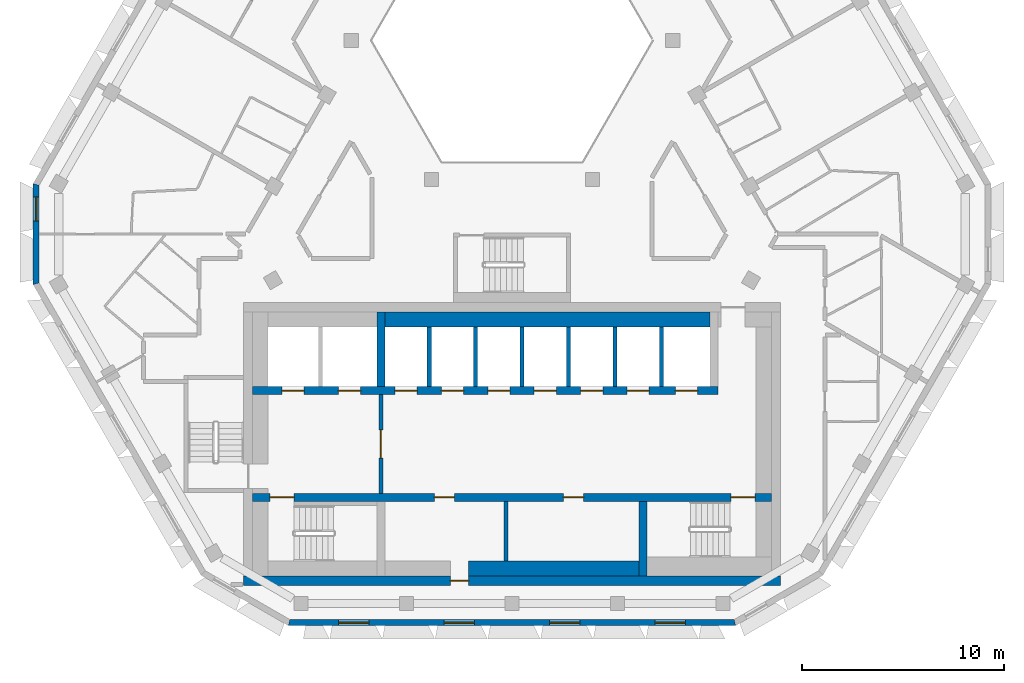
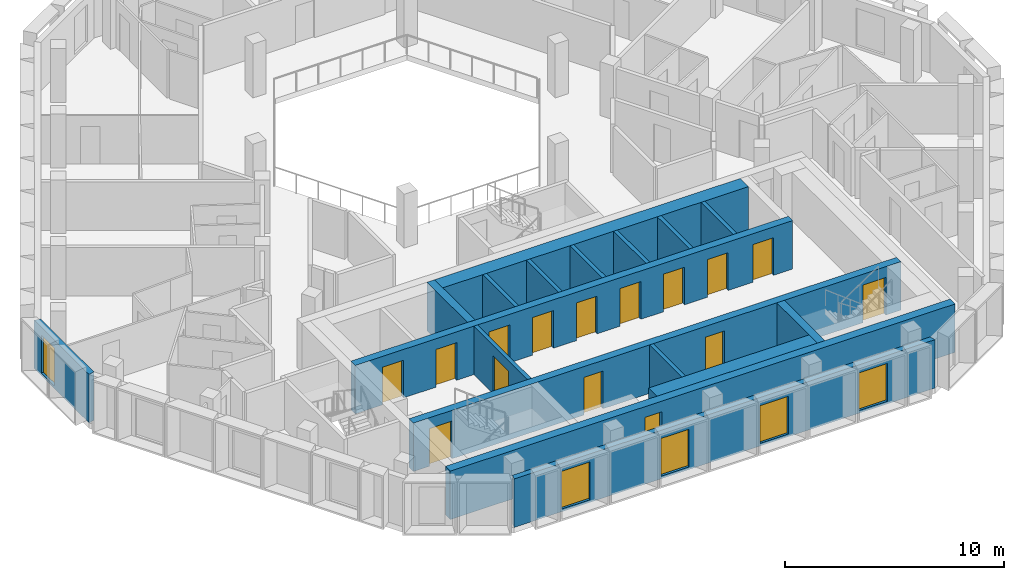
# One storey, part 3 of 15: 17 walls, 15 doors, 5 windows, 20 openings.
"""IFC4 building model written with IfcOpenShell, lengths in metres."""

import ifcopenshell
import ifcopenshell.guid

model = None  # the IFC model being written
_history = None  # IfcOwnerHistory: only IFC2X3 demands one
_inside = {}  # id of a spatial element -> (the spatial element, [elements in it])
_under = {}  # id of a project, library or spatial element -> (it, [spatial elements below it])
_declared = {}  # id of a project -> (the project, [libraries it declares])
_typed = {}  # id of a type object -> (the type object, [elements of that type])
_made_of = {}  # id of a material, layer set ... -> (it, [elements and type objects made of it])


def new_model(schema):
    """Start an empty IFC model of exactly this schema.

    Asked for "IFC4X3", IfcOpenShell would pick the latest addendum, in which some entities
    have other attributes; the version numbers below select the first issue.
    IFC2X3 requires an IfcOwnerHistory on every rooted entity: one is made here for all.
    """
    global model, _history
    if schema == "IFC4X3":
        model = ifcopenshell.file(schema_version=(4, 3, 0, 0))
    else:
        model = ifcopenshell.file(schema=schema)
    _inside.clear()
    _under.clear()
    _declared.clear()
    _typed.clear()
    _made_of.clear()
    _history = None
    if model.schema == "IFC2X3":
        org = make("IfcOrganization", Name="unknown")
        user = make(
            "IfcPersonAndOrganization",
            ThePerson=make("IfcPerson", FamilyName="unknown"),
            TheOrganization=org,
        )
        app = make(
            "IfcApplication",
            ApplicationDeveloper=org,
            Version="unknown",
            ApplicationFullName="unknown",
            ApplicationIdentifier="unknown",
        )
        _history = make(
            "IfcOwnerHistory",
            OwningUser=user,
            OwningApplication=app,
            ChangeAction="ADDED",
            CreationDate=0,
        )
    return model


def make(cls, **values):
    """One entity of the class cls with the attributes given. An attribute that is None is left unset."""
    return model.create_entity(
        cls, **{name: value for name, value in values.items() if value is not None}
    )


def rooted(cls, **values):
    """An entity with a GlobalId (a new one), such as an element, a storey or a relation."""
    return make(cls, GlobalId=ifcopenshell.guid.new(), OwnerHistory=_history, **values)


def si_unit(unit_type, name, prefix=None):
    """IfcSIUnit, for example si_unit("LENGTHUNIT", "METRE", prefix="MILLI")."""
    return make("IfcSIUnit", UnitType=unit_type, Prefix=prefix, Name=name)


def assignment(units):
    """IfcUnitAssignment: the units of a project."""
    return None if units is None else make("IfcUnitAssignment", Units=units)


def point(xyz):
    """IfcCartesianPoint."""
    return None if xyz is None else make("IfcCartesianPoint", Coordinates=xyz)


def direction(xyz):
    """IfcDirection."""
    return None if xyz is None else make("IfcDirection", DirectionRatios=xyz)


def frame(location, z_axis=None, x_axis=None):
    """IfcAxis2Placement3D, a coordinate frame: its origin and axes. An axis left out is left unset."""
    return make(
        "IfcAxis2Placement3D",
        Location=point(location),
        Axis=direction(z_axis),
        RefDirection=direction(x_axis),
    )


def frame_2d(location, x_axis=None):
    """IfcAxis2Placement2D, a coordinate frame in the plane: its origin and x axis."""
    return make(
        "IfcAxis2Placement2D", Location=point(location), RefDirection=direction(x_axis)
    )


def origin():
    """The frame at (0, 0, 0) with its axes left unset."""
    return frame((0.0, 0.0, 0.0))


def place(relative_to, where):
    """IfcLocalPlacement: puts the frame where relative to a parent placement (None: the world)."""
    return make(
        "IfcLocalPlacement", PlacementRelTo=relative_to, RelativePlacement=where
    )


def context(
    kind, dimensions, precision=None, world=None, true_north=None, identifier=None
):
    """IfcGeometricRepresentationContext, for example the 3D "Model" context."""
    return make(
        "IfcGeometricRepresentationContext",
        ContextIdentifier=identifier,
        ContextType=kind,
        CoordinateSpaceDimension=dimensions,
        Precision=precision,
        WorldCoordinateSystem=world,
        TrueNorth=true_north,
    )


def subcontext(parent, identifier, kind, view, scale=None):
    """IfcGeometricRepresentationSubContext, for example "Body" below "Model"."""
    return make(
        "IfcGeometricRepresentationSubContext",
        ContextIdentifier=identifier,
        ContextType=kind,
        ParentContext=parent,
        TargetScale=scale,
        TargetView=view,
    )


def project(units=None, contexts=None):
    """IfcProject with its units and contexts."""
    return rooted(
        "IfcProject",
        Name="project",
        RepresentationContexts=contexts,
        UnitsInContext=assignment(units),
    )


def spatial(cls, under=None, at=None, **own):
    """A site, building, storey or space (cls), placed at a placement, below another one or the project."""
    s = rooted(cls, ObjectPlacement=at, **own)
    if under is not None:
        _under.setdefault(under.id(), (under, []))[1].append(s)
    return s


def polyline(points):
    """IfcPolyline through the points."""
    return make("IfcPolyline", Points=[point(p) for p in points])


def profile(cls, at=None, kind="AREA", **sizes):
    """A parametric profile (cls). Its sizes go by their IFC names, for example OverallWidth=200.0."""
    return make(cls, ProfileType=kind, Position=at, **sizes)


def rectangle(**sizes):
    """IfcRectangleProfileDef."""
    return profile("IfcRectangleProfileDef", **sizes)


def outline(outer, holes=None, kind="AREA"):
    """IfcArbitraryClosedProfileDef: a profile drawn as a closed curve; with holes, ...WithVoids."""
    if holes is None:
        return make("IfcArbitraryClosedProfileDef", ProfileType=kind, OuterCurve=outer)
    return make(
        "IfcArbitraryProfileDefWithVoids",
        ProfileType=kind,
        OuterCurve=outer,
        InnerCurves=holes,
    )


def extrude(swept, where, along, depth):
    """IfcExtrudedAreaSolid: the profile swept, set in the frame where, extruded along a direction by depth."""
    return make(
        "IfcExtrudedAreaSolid",
        SweptArea=swept,
        Position=where,
        ExtrudedDirection=direction(along),
        Depth=depth,
    )


def shape(context_of_items, identifier, shape_type, items):
    """IfcShapeRepresentation: the items that make up one representation, for example the "Body"."""
    return make(
        "IfcShapeRepresentation",
        ContextOfItems=context_of_items,
        RepresentationIdentifier=identifier,
        RepresentationType=shape_type,
        Items=items,
    )


def material(Name=None, Category=None):
    """IfcMaterial."""
    return make("IfcMaterial", Name=Name, Category=Category)


def layer(
    of_material, thickness, ventilated=None, Name=None, Category=None, Priority=None
):
    """IfcMaterialLayer: one layer of a wall or slab, of a material (None: an air gap)."""
    return make(
        "IfcMaterialLayer",
        Material=of_material,
        LayerThickness=thickness,
        IsVentilated=ventilated,
        Name=Name,
        Category=Category,
        Priority=Priority,
    )


def layer_set(layers, Name=None):
    """IfcMaterialLayerSet."""
    return make("IfcMaterialLayerSet", MaterialLayers=layers, LayerSetName=Name)


def made_of(thing, what):
    """Note that an element or type object is made of a material, layer set ...; save() writes the relation."""
    if what is not None:
        _made_of.setdefault(what.id(), (what, []))[1].append(thing)
    return thing


def type_object(cls, material=None, **own):
    """A type object (cls), such as IfcWallType, which elements share."""
    return made_of(rooted(cls, **own), material)


def element(
    cls,
    number,
    at=None,
    inside=None,
    cuts=None,
    type_object=None,
    material=None,
    context=None,
    identifier="Body",
    shape_type=None,
    held_by="IfcProductDefinitionShape",
    body=None,
    shapes=None,
    **own,
):
    """One element of the class cls, such as IfcWall. Its Tag is "e" and its number.

    at: its placement. inside: the storey or other place that contains it. cuts: it is an
    opening in that element (IfcRelVoidsElement). A single representation is given by context,
    identifier, shape_type and body (its items); several are given by shapes. held_by: the class
    of the entity that holds the representations. save() writes the other relations.
    """
    e = rooted(cls, Tag="e%d" % number, ObjectPlacement=at, **own)
    if body is not None:
        shapes = [shape(context, identifier, shape_type, body)]
    if shapes is not None:
        e.Representation = make(held_by, Representations=shapes)
    if inside is not None:
        _inside.setdefault(inside.id(), (inside, []))[1].append(e)
    if cuts is not None:
        rooted(
            "IfcRelVoidsElement", RelatingBuildingElement=cuts, RelatedOpeningElement=e
        )
    if type_object is not None:
        _typed.setdefault(type_object.id(), (type_object, []))[1].append(e)
    return made_of(e, material)


def fill(opening, filler):
    """IfcRelFillsElement: the door or window that sits in an opening."""
    return rooted(
        "IfcRelFillsElement",
        RelatingOpeningElement=opening,
        RelatedBuildingElement=filler,
    )


def aggregate(whole, parts):
    """IfcRelAggregates: a whole, such as a stair, and the parts it consists of."""
    return rooted("IfcRelAggregates", RelatingObject=whole, RelatedObjects=parts)


def save(model, path):
    """Write the relations noted so far, then the file.

    IfcRelAggregates (storeys below a building ...), IfcRelContainedInSpatialStructure (elements
    in a storey), IfcRelDefinesByType, IfcRelAssociatesMaterial and IfcRelDeclares: one each for
    every whole, place, type object, material and project.
    """
    for whole, parts in _under.values():
        aggregate(whole, parts)
    for where, things in _inside.values():
        rooted(
            "IfcRelContainedInSpatialStructure",
            RelatedElements=things,
            RelatingStructure=where,
        )
    for kind, things in _typed.values():
        rooted("IfcRelDefinesByType", RelatedObjects=things, RelatingType=kind)
    for what, things in _made_of.values():
        rooted("IfcRelAssociatesMaterial", RelatedObjects=things, RelatingMaterial=what)
    for by, libraries in _declared.values():
        rooted("IfcRelDeclares", RelatingContext=by, RelatedDefinitions=libraries)
    model.write(path)


model = new_model("IFC4")

# Units and contexts
model_context = context("Model", 3, precision=1e-05, world=origin(), true_north=direction((0.0, 1.0)))
body_context = subcontext(model_context, "Body", "Model", "MODEL_VIEW")
ifc_project = project(units=[si_unit("LENGTHUNIT", "METRE"), si_unit("AREAUNIT", "SQUARE_METRE"), si_unit("VOLUMEUNIT", "CUBIC_METRE"), si_unit("PLANEANGLEUNIT", "RADIAN"), si_unit("MASSUNIT", "GRAM", prefix="KILO")], contexts=[model_context])

# Site, building, storey
site_placement = place(None, origin())
site = spatial("IfcSite", under=ifc_project, at=site_placement, CompositionType="ELEMENT")
building_placement = place(site_placement, origin())
building = spatial("IfcBuilding", under=site, at=building_placement, Name="Beryl Residences", CompositionType="ELEMENT")
storey_placement = place(building_placement, frame((0.0, 0.0, 211.800048828125)))
storey = spatial("IfcBuildingStorey", under=building, at=storey_placement, Name="L65", CompositionType="ELEMENT", Elevation=211.800048828125)

# Wall, opening, window
ifc_material_1 = material(Name="Composite metal panel with mineral wool insulation")
ifc_layer_1 = layer(ifc_material_1, 0.300048828125)
ifc_layer_set_1 = layer_set([ifc_layer_1], Name="ES1 pale metal composite panel wall 300 mm")
wall_type_1 = type_object("IfcWallType", Name="ES1 pale metal composite panel wall 300 mm", PredefinedType="SOLIDWALL", material=ifc_layer_set_1)
wall_1_placement = place(storey_placement, frame((-23.5791015625, 0.89990234375, 0.0), z_axis=(0.0, 0.0, 1.0), x_axis=(0.0, -1.0, 0.0)))
wall_1 = element("IfcWall", 1, at=wall_1_placement, inside=storey, type_object=wall_type_1, Name="ES1 external wall L65 NW-SW", PredefinedType="SOLIDWALL", context=body_context, shape_type="SweptSolid", body=[
    extrude(outline(polyline([(0.0, -0.14990234375), (5.0, -0.14990234375), (4.919677734375, 0.14990234375), (0.080322265625, 0.14990234375), (0.0, -0.14990234375)])), origin(), (0.0, 0.0, 1.0), 2.699951171875),
])
opening_1_placement = place(wall_1_placement, frame((0.64990234375, 0.0, 0.14990234375)))
opening_1 = element("IfcOpeningElement", 2, at=opening_1_placement, cuts=wall_1, Name="Opening W2", PredefinedType="OPENING", context=body_context, shape_type="SweptSolid", body=[
    extrude(rectangle(XDim=1.199951171875, YDim=2.10009765625, at=frame_2d((0.60009765625, 1.050048828125))), frame((0.0, 0.159912109375, 0.0), z_axis=(0.0, -1.0, 0.0), x_axis=(1.0, 0.0, 0.0)), (0.0, 0.0, 1.0), 0.320068359375),
])
ifc_material_2 = material(Name="Aluminium and clear glass", Category="aluminium")
window_type_1 = type_object("IfcWindowType", Name="W2 chamfer window 1200 x 2100 mm", PartitioningType="SINGLE_PANEL", PredefinedType="WINDOW", material=ifc_material_2)
window_1_placement = place(opening_1_placement, origin())
window_1 = element("IfcWindow", 3, at=window_1_placement, inside=storey, type_object=window_type_1, Name="W2 window L65 NW-SW 1", OverallHeight=2.10009765625, OverallWidth=1.199951171875, PartitioningType="SINGLE_PANEL", PredefinedType="WINDOW", context=body_context, shape_type="SweptSolid", body=[
    extrude(rectangle(XDim=1.199951171875, YDim=2.10009765625, at=frame_2d((0.60009765625, 1.050048828125))), frame((0.0, 0.030029296875, 0.0), z_axis=(0.0, -1.0, 0.0), x_axis=(1.0, 0.0, 0.0)), (0.0, 0.0, 1.0), 0.06005859375),
])
fill(opening_1, window_1)

# Wall, openings, windows
wall_2_placement = place(storey_placement, frame((-11.0849609375, -20.85009765625, 0.0), z_axis=(0.0, 0.0, 1.0), x_axis=(1.0, 0.0, 0.0)))
wall_2 = element("IfcWall", 4, at=wall_2_placement, inside=storey, type_object=wall_type_1, Name="ES1 external wall L65 S", PredefinedType="SOLIDWALL", context=body_context, shape_type="SweptSolid", body=[
    extrude(outline(polyline([(0.0, -0.14990234375), (22.169921875, -0.14990234375), (22.089599609375, 0.14990234375), (0.080322265625, 0.14990234375), (0.0, -0.14990234375)])), origin(), (0.0, 0.0, 1.0), 2.699951171875),
])
opening_2_placement = place(wall_2_placement, frame((2.498046875, 0.0, 0.14990234375)))
opening_2 = element("IfcOpeningElement", 5, at=opening_2_placement, cuts=wall_2, Name="Opening W1", PredefinedType="OPENING", context=body_context, shape_type="SweptSolid", body=[
    extrude(rectangle(XDim=1.5, YDim=2.10009765625, at=frame_2d((0.75, 1.050048828125))), frame((0.0, 0.159912109375, 0.0), z_axis=(0.0, -1.0, 0.0), x_axis=(1.0, 0.0, 0.0)), (0.0, 0.0, 1.0), 0.320068359375),
])
opening_3_placement = place(wall_2_placement, frame((7.722900390625, 0.0, 0.14990234375)))
opening_3 = element("IfcOpeningElement", 6, at=opening_3_placement, cuts=wall_2, Name="Opening W1", PredefinedType="OPENING", context=body_context, shape_type="SweptSolid", body=[
    extrude(rectangle(XDim=1.5, YDim=2.10009765625, at=frame_2d((0.75, 1.050048828125))), frame((0.0, 0.159912109375, 0.0), z_axis=(0.0, -1.0, 0.0), x_axis=(1.0, 0.0, 0.0)), (0.0, 0.0, 1.0), 0.320068359375),
])
opening_4_placement = place(wall_2_placement, frame((12.947021484375, 0.0, 0.14990234375)))
opening_4 = element("IfcOpeningElement", 7, at=opening_4_placement, cuts=wall_2, Name="Opening W1", PredefinedType="OPENING", context=body_context, shape_type="SweptSolid", body=[
    extrude(rectangle(XDim=1.5, YDim=2.10009765625, at=frame_2d((0.75, 1.050048828125))), frame((0.0, 0.159912109375, 0.0), z_axis=(0.0, -1.0, 0.0), x_axis=(1.0, 0.0, 0.0)), (0.0, 0.0, 1.0), 0.320068359375),
])
opening_5_placement = place(wall_2_placement, frame((18.172119140625, 0.0, 0.14990234375)))
opening_5 = element("IfcOpeningElement", 8, at=opening_5_placement, cuts=wall_2, Name="Opening W1", PredefinedType="OPENING", context=body_context, shape_type="SweptSolid", body=[
    extrude(rectangle(XDim=1.5, YDim=2.10009765625, at=frame_2d((0.75, 1.050048828125))), frame((0.0, 0.159912109375, 0.0), z_axis=(0.0, -1.0, 0.0), x_axis=(1.0, 0.0, 0.0)), (0.0, 0.0, 1.0), 0.320068359375),
])
ifc_material_3 = material(Name="Aluminium and clear glass", Category="aluminium")
window_type_2 = type_object("IfcWindowType", Name="W1 cell window 1500 x 2100 mm", PartitioningType="SINGLE_PANEL", PredefinedType="WINDOW", material=ifc_material_3)
window_2_placement = place(opening_2_placement, origin())
window_2 = element("IfcWindow", 9, at=window_2_placement, inside=storey, type_object=window_type_2, Name="W1 window L65 S 2", OverallHeight=2.10009765625, OverallWidth=1.5, PartitioningType="SINGLE_PANEL", PredefinedType="WINDOW", context=body_context, shape_type="SweptSolid", body=[
    extrude(rectangle(XDim=1.5, YDim=2.10009765625, at=frame_2d((0.75, 1.050048828125))), frame((0.0, 0.030029296875, 0.0), z_axis=(0.0, -1.0, 0.0), x_axis=(1.0, 0.0, 0.0)), (0.0, 0.0, 1.0), 0.06005859375),
])
fill(opening_2, window_2)
window_3_placement = place(opening_3_placement, origin())
window_3 = element("IfcWindow", 10, at=window_3_placement, inside=storey, type_object=window_type_2, Name="W1 window L65 S 4", OverallHeight=2.10009765625, OverallWidth=1.5, PartitioningType="SINGLE_PANEL", PredefinedType="WINDOW", context=body_context, shape_type="SweptSolid", body=[
    extrude(rectangle(XDim=1.5, YDim=2.10009765625, at=frame_2d((0.75, 1.050048828125))), frame((0.0, 0.030029296875, 0.0), z_axis=(0.0, -1.0, 0.0), x_axis=(1.0, 0.0, 0.0)), (0.0, 0.0, 1.0), 0.06005859375),
])
fill(opening_3, window_3)
window_4_placement = place(opening_4_placement, origin())
window_4 = element("IfcWindow", 11, at=window_4_placement, inside=storey, type_object=window_type_2, Name="W1 window L65 S 6", OverallHeight=2.10009765625, OverallWidth=1.5, PartitioningType="SINGLE_PANEL", PredefinedType="WINDOW", context=body_context, shape_type="SweptSolid", body=[
    extrude(rectangle(XDim=1.5, YDim=2.10009765625, at=frame_2d((0.75, 1.050048828125))), frame((0.0, 0.030029296875, 0.0), z_axis=(0.0, -1.0, 0.0), x_axis=(1.0, 0.0, 0.0)), (0.0, 0.0, 1.0), 0.06005859375),
])
fill(opening_4, window_4)
window_5_placement = place(opening_5_placement, origin())
window_5 = element("IfcWindow", 12, at=window_5_placement, inside=storey, type_object=window_type_2, Name="W1 window L65 S 8", OverallHeight=2.10009765625, OverallWidth=1.5, PartitioningType="SINGLE_PANEL", PredefinedType="WINDOW", context=body_context, shape_type="SweptSolid", body=[
    extrude(rectangle(XDim=1.5, YDim=2.10009765625, at=frame_2d((0.75, 1.050048828125))), frame((0.0, 0.030029296875, 0.0), z_axis=(0.0, -1.0, 0.0), x_axis=(1.0, 0.0, 0.0)), (0.0, 0.0, 1.0), 0.06005859375),
])
fill(opening_5, window_5)

# Wall, opening, door
ifc_material_4 = material(Name="Concrete masonry", Category="masonry")
ifc_layer_2 = layer(ifc_material_4, 0.199951171875)
ifc_layer_set_2 = layer_set([ifc_layer_2], Name="PT13 lobby wall 200 mm")
wall_type_2 = type_object("IfcWallType", Name="PT13 lobby wall 200 mm", PredefinedType="PARTITIONING", material=ifc_layer_set_2)
wall_3_placement = place(storey_placement, frame((-6.5, -14.449951171875, 0.0), z_axis=(0.0, 0.0, 1.0), x_axis=(0.0, 1.0, 0.0)))
wall_3 = element("IfcWall", 13, at=wall_3_placement, inside=storey, type_object=wall_type_2, Name="Lobby wall 12", PredefinedType="PARTITIONING", context=body_context, shape_type="SweptSolid", body=[
    extrude(rectangle(XDim=4.89990234375, YDim=0.199951171875, at=frame_2d((2.449951171875, 0.0))), origin(), (0.0, 0.0, 1.0), 2.699951171875),
])
opening_6_placement = place(wall_3_placement, frame((3.14990234375, 0.0, 0.0), z_axis=(0.0, 0.0, 1.0), x_axis=(-1.0, 0.0, 0.0)))
opening_6 = element("IfcOpeningElement", 14, at=opening_6_placement, cuts=wall_3, Name="Opening FD-FFL", PredefinedType="OPENING", context=body_context, shape_type="SweptSolid", body=[
    extrude(rectangle(XDim=1.39990234375, YDim=2.10009765625, at=frame_2d((0.699951171875, 1.050048828125))), frame((0.0, 0.10986328125, 0.0), z_axis=(0.0, -1.0, 0.0), x_axis=(1.0, 0.0, 0.0)), (0.0, 0.0, 1.0), 0.219970703125),
])
ifc_material_5 = material(Name="Steel door leaf in steel frame", Category="steel")
door_type_1 = type_object("IfcDoorType", Name="D5 lobby door 1400 x 2100 mm", OperationType="DOUBLE_DOOR_SINGLE_SWING", PredefinedType="DOOR", material=ifc_material_5)
door_1_placement = place(opening_6_placement, origin())
door_1 = element("IfcDoor", 15, at=door_1_placement, inside=storey, type_object=door_type_1, Name="Door FD-FFL L65 001", OperationType="DOUBLE_DOOR_SINGLE_SWING", OverallHeight=2.10009765625, OverallWidth=1.39990234375, PredefinedType="DOOR", context=body_context, shape_type="SweptSolid", body=[
    extrude(rectangle(XDim=1.39990234375, YDim=2.10009765625, at=frame_2d((0.699951171875, 1.050048828125))), frame((0.0, 0.02490234375, 0.0), z_axis=(0.0, -1.0, 0.0), x_axis=(1.0, 0.0, 0.0)), (0.0, 0.0, 1.0), 0.050048828125),
])
fill(opening_6, door_1)

# Walls
ifc_material_6 = material(Name="Concrete C40/50", Category="concrete")
ifc_layer_3 = layer(ifc_material_6, 0.199951171875)
ifc_layer_set_3 = layer_set([ifc_layer_3], Name="PT6 lift shaft wall 200 mm reinforced concrete C40/50")
wall_type_3 = type_object("IfcWallType", Name="PT6 lift shaft wall 200 mm reinforced concrete C40/50", PredefinedType="SOLIDWALL", material=ifc_layer_set_3)
for number, where, z_axis, x_axis, name in (
    (16, (-4.10009765625, -9.14990234375, 0.0), (0.0, 0.0, 1.0), (0.0, 1.0, 0.0), "Lift shaft wall 15"),
    (17, (-1.800048828125, -9.14990234375, 0.0), (0.0, 0.0, 1.0), (0.0, 1.0, 0.0), "Lift shaft wall 17"),
    (18, (0.5, -9.14990234375, 0.0), (0.0, 0.0, 1.0), (0.0, 1.0, 0.0), "Lift shaft wall 19"),
    (19, (2.800048828125, -9.14990234375, 0.0), (0.0, 0.0, 1.0), (0.0, 1.0, 0.0), "Lift shaft wall 20"),
    (20, (5.10009765625, -9.14990234375, 0.0), (0.0, 0.0, 1.0), (0.0, 1.0, 0.0), "Lift shaft wall 21"),
    (21, (7.39990234375, -9.14990234375, 0.0), (0.0, 0.0, 1.0), (0.0, 1.0, 0.0), "Lift shaft wall 23"),
):
    element("IfcWall", number, at=place(storey_placement, frame(where, z_axis=z_axis, x_axis=x_axis)), inside=storey, type_object=wall_type_3, Name=name, PredefinedType="SOLIDWALL", context=body_context, shape_type="SweptSolid", body=[
        extrude(rectangle(XDim=2.949951171875, YDim=0.199951171875, at=frame_2d((1.47509765625, 0.0))), origin(), (0.0, 0.0, 1.0), 2.699951171875),
    ])
ifc_material_7 = material(Name="Concrete C40/50", Category="concrete")
ifc_layer_4 = layer(ifc_material_7, 0.75)
ifc_layer_set_4 = layer_set([ifc_layer_4], Name="PT6-750 lift shaft wall 750 mm")
wall_type_4 = type_object("IfcWallType", Name="PT6-750 lift shaft wall 750 mm", PredefinedType="SOLIDWALL", material=ifc_layer_set_4)
wall_4_placement = place(storey_placement, frame((-6.300048828125, -5.824951171875, 0.0), z_axis=(0.0, 0.0, 1.0), x_axis=(1.0, 0.0, 0.0)))
element("IfcWall", 22, at=wall_4_placement, inside=storey, type_object=wall_type_4, Name="Lift shaft wall 14", PredefinedType="SOLIDWALL", context=body_context, shape_type="SweptSolid", body=[
    extrude(rectangle(XDim=16.10009765625, YDim=0.75, at=frame_2d((8.050048828125, 0.0))), origin(), (0.0, 0.0, 1.0), 2.699951171875),
])
ifc_material_8 = material(Name="Concrete masonry", Category="masonry")
ifc_layer_5 = layer(ifc_material_8, 0.199951171875)
ifc_layer_set_5 = layer_set([ifc_layer_5], Name="PT8-200 service room wall 200 mm")
wall_type_5 = type_object("IfcWallType", Name="PT8-200 service room wall 200 mm", PredefinedType="PARTITIONING", material=ifc_layer_set_5)
wall_5_placement = place(storey_placement, frame((-0.300048828125, -17.800048828125, 0.0), z_axis=(0.0, 0.0, 1.0), x_axis=(0.0, 1.0, 0.0)))
element("IfcWall", 23, at=wall_5_placement, inside=storey, type_object=wall_type_5, Name="Core room wall 18", PredefinedType="PARTITIONING", context=body_context, shape_type="SweptSolid", body=[
    extrude(rectangle(XDim=2.949951171875, YDim=0.199951171875, at=frame_2d((1.47509765625, 0.0))), origin(), (0.0, 0.0, 1.0), 2.699951171875),
])
ifc_material_9 = material(Name="Concrete masonry", Category="masonry")
ifc_layer_6 = layer(ifc_material_9, 0.75)
ifc_layer_set_6 = layer_set([ifc_layer_6], Name="PT8-750 service room wall 750 mm")
wall_type_6 = type_object("IfcWallType", Name="PT8-750 service room wall 750 mm", PredefinedType="PARTITIONING", material=ifc_layer_set_6)
wall_6_placement = place(storey_placement, frame((-2.14990234375, -18.175048828125, 0.0), z_axis=(0.0, 0.0, 1.0), x_axis=(1.0, 0.0, 0.0)))
element("IfcWall", 24, at=wall_6_placement, inside=storey, type_object=wall_type_6, Name="Core room wall 16", PredefinedType="PARTITIONING", context=body_context, shape_type="SweptSolid", body=[
    extrude(rectangle(XDim=8.449951171875, YDim=0.75, at=frame_2d((4.22509765625, 0.0))), origin(), (0.0, 0.0, 1.0), 2.699951171875),
])

# Wall, openings, doors
ifc_material_10 = material(Name="Concrete C50/60", Category="concrete")
ifc_layer_7 = layer(ifc_material_10, 0.39990234375)
ifc_layer_set_7 = layer_set([ifc_layer_7], Name="SW10 core internal wall 400 mm C50/60")
wall_type_7 = type_object("IfcWallType", Name="SW10 core internal wall 400 mm C50/60", PredefinedType="SHEAR", material=ifc_layer_set_7)
wall_7_placement = place(storey_placement, frame((-12.85009765625, -14.64990234375, 0.0), z_axis=(0.0, 0.0, 1.0), x_axis=(1.0, 0.0, 0.0)))
wall_7 = element("IfcWall", 25, at=wall_7_placement, inside=storey, type_object=wall_type_7, Name="Core wall SP1 L65", PredefinedType="SHEAR", context=body_context, shape_type="SweptSolid", body=[
    extrude(rectangle(XDim=25.7001953125, YDim=0.39990234375, at=frame_2d((12.85009765625, 0.0))), origin(), (0.0, 0.0, 1.0), 2.699951171875),
])
opening_7_placement = place(wall_7_placement, frame((2.050048828125, 0.0, 0.0), z_axis=(0.0, 0.0, 1.0), x_axis=(-1.0, 0.0, 0.0)))
opening_7 = element("IfcOpeningElement", 26, at=opening_7_placement, cuts=wall_7, Name="Opening SD-1", PredefinedType="OPENING", context=body_context, shape_type="SweptSolid", body=[
    extrude(rectangle(XDim=1.199951171875, YDim=2.10009765625, at=frame_2d((0.60009765625, 1.050048828125))), frame((0.0, 0.2099609375, 0.0), z_axis=(0.0, -1.0, 0.0), x_axis=(1.0, 0.0, 0.0)), (0.0, 0.0, 1.0), 0.419921875),
])
opening_8_placement = place(wall_7_placement, frame((24.89990234375, 0.0, 0.0), z_axis=(0.0, 0.0, 1.0), x_axis=(-1.0, 0.0, 0.0)))
opening_8 = element("IfcOpeningElement", 27, at=opening_8_placement, cuts=wall_7, Name="Opening SD-3", PredefinedType="OPENING", context=body_context, shape_type="SweptSolid", body=[
    extrude(rectangle(XDim=1.199951171875, YDim=2.10009765625, at=frame_2d((0.60009765625, 1.050048828125))), frame((0.0, 0.2099609375, 0.0), z_axis=(0.0, -1.0, 0.0), x_axis=(1.0, 0.0, 0.0)), (0.0, 0.0, 1.0), 0.419921875),
])
opening_9_placement = place(wall_7_placement, frame((10.0, 0.0, 0.0), z_axis=(0.0, 0.0, 1.0), x_axis=(-1.0, 0.0, 0.0)))
opening_9 = element("IfcOpeningElement", 28, at=opening_9_placement, cuts=wall_7, Name="Opening CD-D-S1", PredefinedType="OPENING", context=body_context, shape_type="SweptSolid", body=[
    extrude(rectangle(XDim=1.0, YDim=2.10009765625, at=frame_2d((0.5, 1.050048828125))), frame((0.0, 0.2099609375, 0.0), z_axis=(0.0, -1.0, 0.0), x_axis=(1.0, 0.0, 0.0)), (0.0, 0.0, 1.0), 0.419921875),
])
opening_10_placement = place(wall_7_placement, frame((16.39990234375, 0.0, 0.0), z_axis=(0.0, 0.0, 1.0), x_axis=(-1.0, 0.0, 0.0)))
opening_10 = element("IfcOpeningElement", 29, at=opening_10_placement, cuts=wall_7, Name="Opening CD-D-S2", PredefinedType="OPENING", context=body_context, shape_type="SweptSolid", body=[
    extrude(rectangle(XDim=1.0, YDim=2.10009765625, at=frame_2d((0.5, 1.050048828125))), frame((0.0, 0.2099609375, 0.0), z_axis=(0.0, -1.0, 0.0), x_axis=(1.0, 0.0, 0.0)), (0.0, 0.0, 1.0), 0.419921875),
])
ifc_material_11 = material(Name="Steel door leaf in steel frame", Category="steel")
door_type_2 = type_object("IfcDoorType", Name="D18 service room door 1000 x 2100 mm", OperationType="SINGLE_SWING_LEFT", PredefinedType="DOOR", material=ifc_material_11)
door_2_placement = place(opening_9_placement, origin())
door_2 = element("IfcDoor", 30, at=door_2_placement, inside=storey, type_object=door_type_2, Name="Door CD-D-S1 L65 001", OperationType="SINGLE_SWING_RIGHT", OverallHeight=2.10009765625, OverallWidth=1.0, PredefinedType="DOOR", context=body_context, shape_type="SweptSolid", body=[
    extrude(rectangle(XDim=1.0, YDim=2.10009765625, at=frame_2d((0.5, 1.050048828125))), frame((0.0, 0.02490234375, 0.0), z_axis=(0.0, -1.0, 0.0), x_axis=(1.0, 0.0, 0.0)), (0.0, 0.0, 1.0), 0.050048828125),
])
fill(opening_9, door_2)
door_3_placement = place(opening_10_placement, origin())
door_3 = element("IfcDoor", 31, at=door_3_placement, inside=storey, type_object=door_type_2, Name="Door CD-D-S2 L65 001", OperationType="SINGLE_SWING_LEFT", OverallHeight=2.10009765625, OverallWidth=1.0, PredefinedType="DOOR", context=body_context, shape_type="SweptSolid", body=[
    extrude(rectangle(XDim=1.0, YDim=2.10009765625, at=frame_2d((0.5, 1.050048828125))), frame((0.0, 0.02490234375, 0.0), z_axis=(0.0, -1.0, 0.0), x_axis=(1.0, 0.0, 0.0)), (0.0, 0.0, 1.0), 0.050048828125),
])
fill(opening_10, door_3)
ifc_material_12 = material(Name="Steel door leaf in steel frame", Category="steel")
door_type_3 = type_object("IfcDoorType", Name="D4 stair door 1200 x 2100 mm", OperationType="SINGLE_SWING_LEFT", PredefinedType="DOOR", material=ifc_material_12)
door_4_placement = place(opening_7_placement, origin())
door_4 = element("IfcDoor", 32, at=door_4_placement, inside=storey, type_object=door_type_3, Name="Door SD-1 L65 001", OperationType="SINGLE_SWING_RIGHT", OverallHeight=2.10009765625, OverallWidth=1.199951171875, PredefinedType="DOOR", context=body_context, shape_type="SweptSolid", body=[
    extrude(rectangle(XDim=1.199951171875, YDim=2.10009765625, at=frame_2d((0.60009765625, 1.050048828125))), frame((0.0, 0.02490234375, 0.0), z_axis=(0.0, -1.0, 0.0), x_axis=(1.0, 0.0, 0.0)), (0.0, 0.0, 1.0), 0.050048828125),
])
fill(opening_7, door_4)
door_5_placement = place(opening_8_placement, origin())
door_5 = element("IfcDoor", 33, at=door_5_placement, inside=storey, type_object=door_type_3, Name="Door SD-3 L65 001", OperationType="SINGLE_SWING_RIGHT", OverallHeight=2.10009765625, OverallWidth=1.199951171875, PredefinedType="DOOR", context=body_context, shape_type="SweptSolid", body=[
    extrude(rectangle(XDim=1.199951171875, YDim=2.10009765625, at=frame_2d((0.60009765625, 1.050048828125))), frame((0.0, 0.02490234375, 0.0), z_axis=(0.0, -1.0, 0.0), x_axis=(1.0, 0.0, 0.0)), (0.0, 0.0, 1.0), 0.050048828125),
])
fill(opening_8, door_5)

wall_8_placement = place(storey_placement, frame((-12.85009765625, -9.35009765625, 0.0), z_axis=(0.0, 0.0, 1.0), x_axis=(1.0, 0.0, 0.0)))
wall_8 = element("IfcWall", 34, at=wall_8_placement, inside=storey, type_object=wall_type_7, Name="Core wall SP2 L65", PredefinedType="SHEAR", context=body_context, shape_type="SweptSolid", body=[
    extrude(rectangle(XDim=23.050048828125, YDim=0.39990234375, at=frame_2d((11.52490234375, 0.0))), origin(), (0.0, 0.0, 1.0), 2.699951171875),
])
opening_11_placement = place(wall_8_placement, frame((1.449951171875, 0.0, 0.0)))
opening_11 = element("IfcOpeningElement", 35, at=opening_11_placement, cuts=wall_8, Name="Opening LD-FF1", PredefinedType="OPENING", context=body_context, shape_type="SweptSolid", body=[
    extrude(rectangle(XDim=1.10009765625, YDim=2.10009765625, at=frame_2d((0.550048828125, 1.050048828125))), frame((0.0, 0.2099609375, 0.0), z_axis=(0.0, -1.0, 0.0), x_axis=(1.0, 0.0, 0.0)), (0.0, 0.0, 1.0), 0.419921875),
])
opening_12_placement = place(wall_8_placement, frame((4.25, 0.0, 0.0)))
opening_12 = element("IfcOpeningElement", 36, at=opening_12_placement, cuts=wall_8, Name="Opening LD-FF2", PredefinedType="OPENING", context=body_context, shape_type="SweptSolid", body=[
    extrude(rectangle(XDim=1.10009765625, YDim=2.10009765625, at=frame_2d((0.550048828125, 1.050048828125))), frame((0.0, 0.2099609375, 0.0), z_axis=(0.0, -1.0, 0.0), x_axis=(1.0, 0.0, 0.0)), (0.0, 0.0, 1.0), 0.419921875),
])
opening_13_placement = place(wall_8_placement, frame((7.050048828125, 0.0, 0.0)))
opening_13 = element("IfcOpeningElement", 37, at=opening_13_placement, cuts=wall_8, Name="Opening LD-HR1", PredefinedType="OPENING", context=body_context, shape_type="SweptSolid", body=[
    extrude(rectangle(XDim=1.10009765625, YDim=2.10009765625, at=frame_2d((0.550048828125, 1.050048828125))), frame((0.0, 0.2099609375, 0.0), z_axis=(0.0, -1.0, 0.0), x_axis=(1.0, 0.0, 0.0)), (0.0, 0.0, 1.0), 0.419921875),
])
opening_14_placement = place(wall_8_placement, frame((9.35009765625, 0.0, 0.0)))
opening_14 = element("IfcOpeningElement", 38, at=opening_14_placement, cuts=wall_8, Name="Opening LD-HR2", PredefinedType="OPENING", context=body_context, shape_type="SweptSolid", body=[
    extrude(rectangle(XDim=1.10009765625, YDim=2.10009765625, at=frame_2d((0.550048828125, 1.050048828125))), frame((0.0, 0.2099609375, 0.0), z_axis=(0.0, -1.0, 0.0), x_axis=(1.0, 0.0, 0.0)), (0.0, 0.0, 1.0), 0.419921875),
])
opening_15_placement = place(wall_8_placement, frame((11.64990234375, 0.0, 0.0)))
opening_15 = element("IfcOpeningElement", 39, at=opening_15_placement, cuts=wall_8, Name="Opening LD-HR3", PredefinedType="OPENING", context=body_context, shape_type="SweptSolid", body=[
    extrude(rectangle(XDim=1.10009765625, YDim=2.10009765625, at=frame_2d((0.550048828125, 1.050048828125))), frame((0.0, 0.2099609375, 0.0), z_axis=(0.0, -1.0, 0.0), x_axis=(1.0, 0.0, 0.0)), (0.0, 0.0, 1.0), 0.419921875),
])
opening_16_placement = place(wall_8_placement, frame((13.949951171875, 0.0, 0.0)))
opening_16 = element("IfcOpeningElement", 40, at=opening_16_placement, cuts=wall_8, Name="Opening LD-HR4", PredefinedType="OPENING", context=body_context, shape_type="SweptSolid", body=[
    extrude(rectangle(XDim=1.10009765625, YDim=2.10009765625, at=frame_2d((0.550048828125, 1.050048828125))), frame((0.0, 0.2099609375, 0.0), z_axis=(0.0, -1.0, 0.0), x_axis=(1.0, 0.0, 0.0)), (0.0, 0.0, 1.0), 0.419921875),
])
opening_17_placement = place(wall_8_placement, frame((16.25, 0.0, 0.0)))
opening_17 = element("IfcOpeningElement", 41, at=opening_17_placement, cuts=wall_8, Name="Opening LD-HR5", PredefinedType="OPENING", context=body_context, shape_type="SweptSolid", body=[
    extrude(rectangle(XDim=1.10009765625, YDim=2.10009765625, at=frame_2d((0.550048828125, 1.050048828125))), frame((0.0, 0.2099609375, 0.0), z_axis=(0.0, -1.0, 0.0), x_axis=(1.0, 0.0, 0.0)), (0.0, 0.0, 1.0), 0.419921875),
])
opening_18_placement = place(wall_8_placement, frame((18.550048828125, 0.0, 0.0)))
opening_18 = element("IfcOpeningElement", 42, at=opening_18_placement, cuts=wall_8, Name="Opening LD-HR6", PredefinedType="OPENING", context=body_context, shape_type="SweptSolid", body=[
    extrude(rectangle(XDim=1.10009765625, YDim=2.10009765625, at=frame_2d((0.550048828125, 1.050048828125))), frame((0.0, 0.2099609375, 0.0), z_axis=(0.0, -1.0, 0.0), x_axis=(1.0, 0.0, 0.0)), (0.0, 0.0, 1.0), 0.419921875),
])
opening_19_placement = place(wall_8_placement, frame((20.949951171875, 0.0, 0.0)))
opening_19 = element("IfcOpeningElement", 43, at=opening_19_placement, cuts=wall_8, Name="Opening LD-SL1", PredefinedType="OPENING", context=body_context, shape_type="SweptSolid", body=[
    extrude(rectangle(XDim=1.10009765625, YDim=2.10009765625, at=frame_2d((0.550048828125, 1.050048828125))), frame((0.0, 0.2099609375, 0.0), z_axis=(0.0, -1.0, 0.0), x_axis=(1.0, 0.0, 0.0)), (0.0, 0.0, 1.0), 0.419921875),
])
ifc_material_13 = material(Name="Stainless steel sliding door", Category="steel")
door_type_4 = type_object("IfcDoorType", Name="LD1 lift landing door 1100 x 2100 mm", OperationType="DOUBLE_DOOR_SLIDING", PredefinedType="DOOR", material=ifc_material_13)
door_6_placement = place(opening_11_placement, origin())
door_6 = element("IfcDoor", 44, at=door_6_placement, inside=storey, type_object=door_type_4, Name="Lift landing door FF1", OperationType="DOUBLE_DOOR_SLIDING", OverallHeight=2.10009765625, OverallWidth=1.10009765625, PredefinedType="DOOR", context=body_context, shape_type="SweptSolid", body=[
    extrude(rectangle(XDim=1.10009765625, YDim=2.10009765625, at=frame_2d((0.550048828125, 1.050048828125))), frame((0.0, 0.02490234375, 0.0), z_axis=(0.0, -1.0, 0.0), x_axis=(1.0, 0.0, 0.0)), (0.0, 0.0, 1.0), 0.050048828125),
])
fill(opening_11, door_6)
door_7_placement = place(opening_12_placement, origin())
door_7 = element("IfcDoor", 45, at=door_7_placement, inside=storey, type_object=door_type_4, Name="Lift landing door FF2", OperationType="DOUBLE_DOOR_SLIDING", OverallHeight=2.10009765625, OverallWidth=1.10009765625, PredefinedType="DOOR", context=body_context, shape_type="SweptSolid", body=[
    extrude(rectangle(XDim=1.10009765625, YDim=2.10009765625, at=frame_2d((0.550048828125, 1.050048828125))), frame((0.0, 0.02490234375, 0.0), z_axis=(0.0, -1.0, 0.0), x_axis=(1.0, 0.0, 0.0)), (0.0, 0.0, 1.0), 0.050048828125),
])
fill(opening_12, door_7)
door_8_placement = place(opening_13_placement, origin())
door_8 = element("IfcDoor", 46, at=door_8_placement, inside=storey, type_object=door_type_4, Name="Lift landing door HR1", OperationType="DOUBLE_DOOR_SLIDING", OverallHeight=2.10009765625, OverallWidth=1.10009765625, PredefinedType="DOOR", context=body_context, shape_type="SweptSolid", body=[
    extrude(rectangle(XDim=1.10009765625, YDim=2.10009765625, at=frame_2d((0.550048828125, 1.050048828125))), frame((0.0, 0.02490234375, 0.0), z_axis=(0.0, -1.0, 0.0), x_axis=(1.0, 0.0, 0.0)), (0.0, 0.0, 1.0), 0.050048828125),
])
fill(opening_13, door_8)
door_9_placement = place(opening_14_placement, origin())
door_9 = element("IfcDoor", 47, at=door_9_placement, inside=storey, type_object=door_type_4, Name="Lift landing door HR2", OperationType="DOUBLE_DOOR_SLIDING", OverallHeight=2.10009765625, OverallWidth=1.10009765625, PredefinedType="DOOR", context=body_context, shape_type="SweptSolid", body=[
    extrude(rectangle(XDim=1.10009765625, YDim=2.10009765625, at=frame_2d((0.550048828125, 1.050048828125))), frame((0.0, 0.02490234375, 0.0), z_axis=(0.0, -1.0, 0.0), x_axis=(1.0, 0.0, 0.0)), (0.0, 0.0, 1.0), 0.050048828125),
])
fill(opening_14, door_9)
door_10_placement = place(opening_15_placement, origin())
door_10 = element("IfcDoor", 48, at=door_10_placement, inside=storey, type_object=door_type_4, Name="Lift landing door HR3", OperationType="DOUBLE_DOOR_SLIDING", OverallHeight=2.10009765625, OverallWidth=1.10009765625, PredefinedType="DOOR", context=body_context, shape_type="SweptSolid", body=[
    extrude(rectangle(XDim=1.10009765625, YDim=2.10009765625, at=frame_2d((0.550048828125, 1.050048828125))), frame((0.0, 0.02490234375, 0.0), z_axis=(0.0, -1.0, 0.0), x_axis=(1.0, 0.0, 0.0)), (0.0, 0.0, 1.0), 0.050048828125),
])
fill(opening_15, door_10)
door_11_placement = place(opening_16_placement, origin())
door_11 = element("IfcDoor", 49, at=door_11_placement, inside=storey, type_object=door_type_4, Name="Lift landing door HR4", OperationType="DOUBLE_DOOR_SLIDING", OverallHeight=2.10009765625, OverallWidth=1.10009765625, PredefinedType="DOOR", context=body_context, shape_type="SweptSolid", body=[
    extrude(rectangle(XDim=1.10009765625, YDim=2.10009765625, at=frame_2d((0.550048828125, 1.050048828125))), frame((0.0, 0.02490234375, 0.0), z_axis=(0.0, -1.0, 0.0), x_axis=(1.0, 0.0, 0.0)), (0.0, 0.0, 1.0), 0.050048828125),
])
fill(opening_16, door_11)
door_12_placement = place(opening_17_placement, origin())
door_12 = element("IfcDoor", 50, at=door_12_placement, inside=storey, type_object=door_type_4, Name="Lift landing door HR5", OperationType="DOUBLE_DOOR_SLIDING", OverallHeight=2.10009765625, OverallWidth=1.10009765625, PredefinedType="DOOR", context=body_context, shape_type="SweptSolid", body=[
    extrude(rectangle(XDim=1.10009765625, YDim=2.10009765625, at=frame_2d((0.550048828125, 1.050048828125))), frame((0.0, 0.02490234375, 0.0), z_axis=(0.0, -1.0, 0.0), x_axis=(1.0, 0.0, 0.0)), (0.0, 0.0, 1.0), 0.050048828125),
])
fill(opening_17, door_12)
door_13_placement = place(opening_18_placement, origin())
door_13 = element("IfcDoor", 51, at=door_13_placement, inside=storey, type_object=door_type_4, Name="Lift landing door HR6", OperationType="DOUBLE_DOOR_SLIDING", OverallHeight=2.10009765625, OverallWidth=1.10009765625, PredefinedType="DOOR", context=body_context, shape_type="SweptSolid", body=[
    extrude(rectangle(XDim=1.10009765625, YDim=2.10009765625, at=frame_2d((0.550048828125, 1.050048828125))), frame((0.0, 0.02490234375, 0.0), z_axis=(0.0, -1.0, 0.0), x_axis=(1.0, 0.0, 0.0)), (0.0, 0.0, 1.0), 0.050048828125),
])
fill(opening_18, door_13)
door_14_placement = place(opening_19_placement, origin())
door_14 = element("IfcDoor", 52, at=door_14_placement, inside=storey, type_object=door_type_4, Name="Lift landing door SL1", OperationType="DOUBLE_DOOR_SLIDING", OverallHeight=2.10009765625, OverallWidth=1.10009765625, PredefinedType="DOOR", context=body_context, shape_type="SweptSolid", body=[
    extrude(rectangle(XDim=1.10009765625, YDim=2.10009765625, at=frame_2d((0.550048828125, 1.050048828125))), frame((0.0, 0.02490234375, 0.0), z_axis=(0.0, -1.0, 0.0), x_axis=(1.0, 0.0, 0.0)), (0.0, 0.0, 1.0), 0.050048828125),
])
fill(opening_19, door_14)

# Walls
for number, where, z_axis, x_axis, name in (
    (53, (6.5, -18.550048828125, 0.0), (0.0, 0.0, 1.0), (0.0, 1.0, 0.0), "Core wall XS2 L65"),
    (54, (-6.5, -9.14990234375, 0.0), (0.0, 0.0, 1.0), (0.0, 1.0, 0.0), "Core wall XN1 L65"),
):
    element("IfcWall", number, at=place(storey_placement, frame(where, z_axis=z_axis, x_axis=x_axis)), inside=storey, type_object=wall_type_7, Name=name, PredefinedType="SHEAR", context=body_context, shape_type="SweptSolid", body=[
        extrude(rectangle(XDim=3.699951171875, YDim=0.39990234375, at=frame_2d((1.85009765625, 0.0))), origin(), (0.0, 0.0, 1.0), 2.699951171875),
    ])

# Wall, opening, door
ifc_material_14 = material(Name="Concrete C50/60", Category="concrete")
ifc_layer_8 = layer(ifc_material_14, 0.449951171875)
ifc_layer_set_8 = layer_set([ifc_layer_8], Name="SW5 core outer wall 450 mm C50/60")
wall_type_8 = type_object("IfcWallType", Name="SW5 core outer wall 450 mm C50/60", PredefinedType="SHEAR", material=ifc_layer_set_8)
wall_9_placement = place(storey_placement, frame((-13.300048828125, -18.77490234375, 0.0), z_axis=(0.0, 0.0, 1.0), x_axis=(1.0, 0.0, 0.0)))
wall_9 = element("IfcWall", 55, at=wall_9_placement, inside=storey, type_object=wall_type_8, Name="Core wall S L65", PredefinedType="SHEAR", context=body_context, shape_type="SweptSolid", body=[
    extrude(rectangle(XDim=26.60009765625, YDim=0.449951171875, at=frame_2d((13.300048828125, 0.0))), origin(), (0.0, 0.0, 1.0), 2.699951171875),
])
opening_20_placement = place(wall_9_placement, frame((10.25, 0.0, 0.0)))
opening_20 = element("IfcOpeningElement", 56, at=opening_20_placement, cuts=wall_9, Name="Opening RD-RS", PredefinedType="OPENING", context=body_context, shape_type="SweptSolid", body=[
    extrude(rectangle(XDim=0.89990234375, YDim=2.10009765625, at=frame_2d((0.449951171875, 1.050048828125))), frame((0.0, 0.23486328125, 0.0), z_axis=(0.0, -1.0, 0.0), x_axis=(1.0, 0.0, 0.0)), (0.0, 0.0, 1.0), 0.469970703125),
])
ifc_material_15 = material(Name="Steel door leaf in steel frame", Category="steel")
door_type_5 = type_object("IfcDoorType", Name="D23 riser door 900 x 2100 mm", OperationType="SINGLE_SWING_LEFT", PredefinedType="DOOR", material=ifc_material_15)
door_15_placement = place(opening_20_placement, origin())
door_15 = element("IfcDoor", 57, at=door_15_placement, inside=storey, type_object=door_type_5, Name="Door RD-RS L65 001", OperationType="SINGLE_SWING_RIGHT", OverallHeight=2.10009765625, OverallWidth=0.89990234375, PredefinedType="DOOR", context=body_context, shape_type="SweptSolid", body=[
    extrude(rectangle(XDim=0.89990234375, YDim=2.10009765625, at=frame_2d((0.449951171875, 1.050048828125))), frame((0.0, 0.02490234375, 0.0), z_axis=(0.0, -1.0, 0.0), x_axis=(1.0, 0.0, 0.0)), (0.0, 0.0, 1.0), 0.050048828125),
])
fill(opening_20, door_15)

save(model, "model.ifc")
